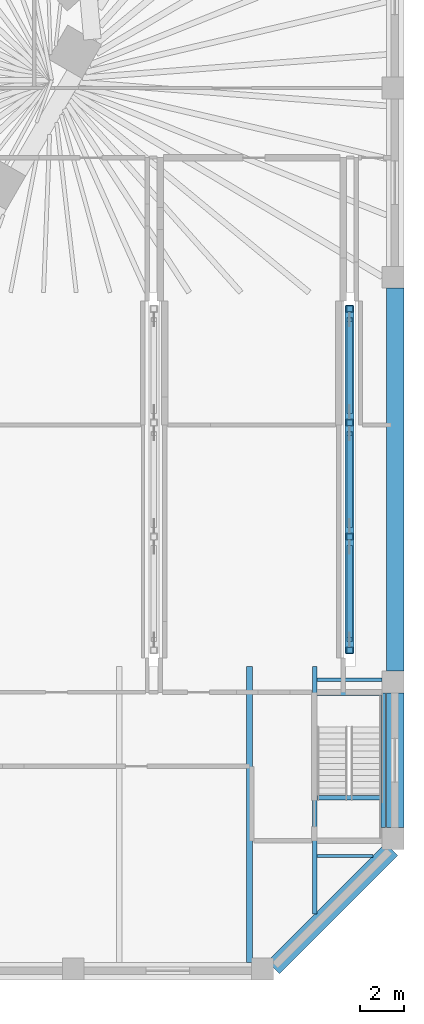
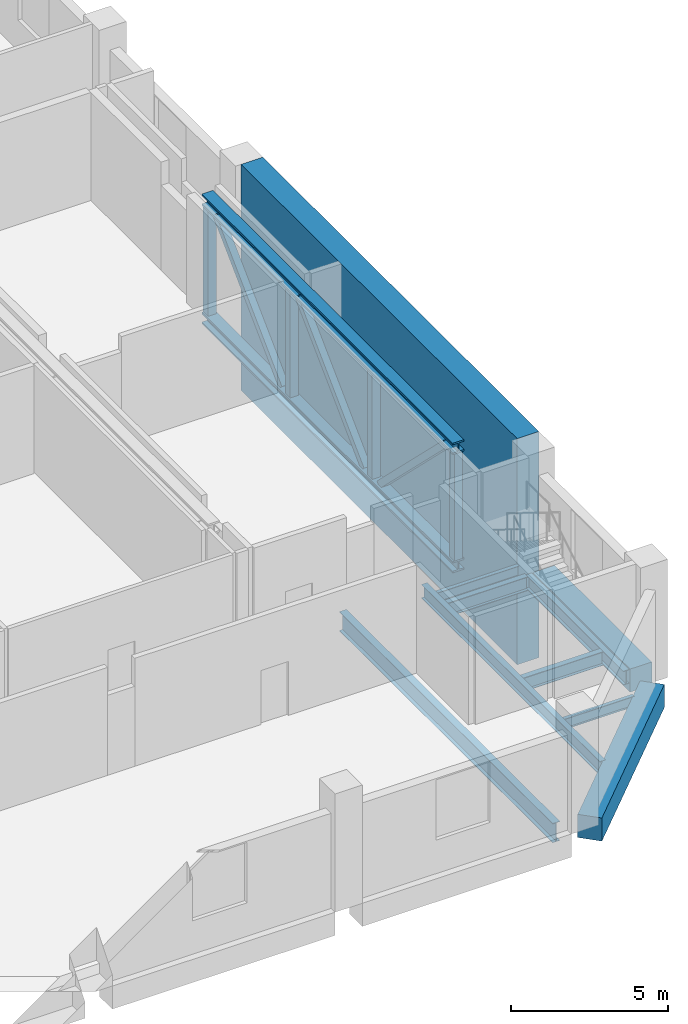
# One storey, part 8 of 32: 10 beams, 9 members.
"""IFC4 building model written with IfcOpenShell, lengths in metres."""

from ifc_helpers import new_model, si_unit, direction, frame, origin, origin_2d, place, context, subcontext, project, spatial, rectangle, hollow_rectangle, i_section, extrude, material, material_profile, profile_set, type_object, element, save


model = new_model("IFC4")

# Units and contexts
model_context = context("Model", 3, precision=1e-05, world=origin(), true_north=direction((0.0, 1.0)))
body_context = subcontext(model_context, "Body", "Model", "MODEL_VIEW")
ifc_project = project(units=[si_unit("LENGTHUNIT", "METRE"), si_unit("AREAUNIT", "SQUARE_METRE"), si_unit("VOLUMEUNIT", "CUBIC_METRE"), si_unit("PLANEANGLEUNIT", "RADIAN"), si_unit("MASSUNIT", "GRAM", prefix="KILO")], contexts=[model_context])

# Site, building, storey
site_placement = place(None, origin())
site = spatial("IfcSite", under=ifc_project, at=site_placement, CompositionType="ELEMENT")
building_placement = place(site_placement, origin())
building = spatial("IfcBuilding", under=site, at=building_placement, Name="Isthmus Gate Tower", CompositionType="ELEMENT")
storey_placement = place(building_placement, frame((0.0, 0.0, 18.0)))
storey = spatial("IfcBuildingStorey", under=building, at=storey_placement, Name="L02", CompositionType="ELEMENT", Elevation=18.0)

# Beams
ifc_material_1 = material(Name="Concrete f'c 70 MPa", Category="concrete")
ifc_material_profile_1 = material_profile(ifc_material_1, rectangle(XDim=0.800048828125, YDim=0.89990234375, at=origin_2d()), Name="RC 800X900")
ifc_profile_set_1 = profile_set([ifc_material_profile_1], Name="Concrete f'c 70 MPa")
beam_type_1 = type_object("IfcBeamType", Name="RC EDGE BEAM 800 X 900", PredefinedType="BEAM", material=ifc_profile_set_1)
beam_1_placement = place(storey_placement, frame((51.60009765625, -27.800048828125, -0.85009765625), z_axis=(0.0, -1.0, 0.0), x_axis=(1.0, 0.0, 0.0)))
element("IfcBeam", 1, at=beam_1_placement, inside=storey, type_object=beam_type_1, Name="str-edgebeam-L02-26", PredefinedType="BEAM", context=body_context, shape_type="SweptSolid", body=[
    extrude(rectangle(XDim=0.800048828125, YDim=0.89990234375, at=origin_2d()), origin(), (0.0, 0.0, 1.0), 6.199951171875),
])
beam_2_placement = place(storey_placement, frame((51.434326171875, -35.0, -0.85009765625), z_axis=(-0.707106781187, -0.707106781187, 0.0), x_axis=(0.707106781187, -0.707106781187, 0.0)))
element("IfcBeam", 2, at=beam_2_placement, inside=storey, type_object=beam_type_1, Name="str-edgebeam-L02-27", PredefinedType="BEAM", context=body_context, shape_type="SweptSolid", body=[
    extrude(rectangle(XDim=0.800048828125, YDim=0.89990234375, at=origin_2d()), origin(), (0.0, 0.0, 1.0), 7.685302734375),
])
ifc_material_2 = material(Name="Concrete f'c 70 MPa", Category="concrete")
ifc_material_profile_2 = material_profile(ifc_material_2, rectangle(XDim=0.800048828125, YDim=8.800048828125, at=origin_2d()), Name="RC 800X8800")
ifc_profile_set_2 = profile_set([ifc_material_profile_2], Name="Concrete f'c 70 MPa")
beam_type_2 = type_object("IfcBeamType", Name="RC PORTAL LINTEL 800 X 8800", PredefinedType="LINTEL", material=ifc_profile_set_2)
beam_3_placement = place(storey_placement, frame((51.60009765625, -9.199951171875, -0.199951171875), z_axis=(0.0, -1.0, 0.0), x_axis=(1.0, 0.0, 0.0)))
element("IfcBeam", 3, at=beam_3_placement, inside=storey, type_object=beam_type_2, Name="str-lintel-L02-25", PredefinedType="LINTEL", context=body_context, shape_type="SweptSolid", body=[
    extrude(rectangle(XDim=0.800048828125, YDim=8.800048828125, at=origin_2d()), origin(), (0.0, 0.0, 1.0), 17.60009765625),
])
ifc_material_3 = material(Name="Structural steel ASTM A992 Gr 50", Category="steel")
ifc_material_profile_3 = material_profile(ifc_material_3, i_section(OverallWidth=0.1396484375, OverallDepth=0.4033203125, WebThickness=0.00634765625, FlangeThickness=0.010986328125, at=origin_2d()), Name="W16X31")
ifc_profile_set_3 = profile_set([ifc_material_profile_3], Name="Structural steel ASTM A992 Gr 50")
beam_type_3 = type_object("IfcBeamType", Name="STEEL FLOOR BEAM W16X31", PredefinedType="JOIST", material=ifc_profile_set_3)
beam_4_placement = place(storey_placement, frame((48.0, -35.301513671875, -0.6015625), z_axis=(1.0, 0.0, 0.0), x_axis=(0.0, 1.0, 0.0)))
element("IfcBeam", 4, at=beam_4_placement, inside=storey, type_object=beam_type_3, Name="str-beam-L02-31-00", PredefinedType="JOIST", context=body_context, shape_type="SweptSolid", body=[
    extrude(i_section(OverallWidth=0.1396484375, OverallDepth=0.4033203125, WebThickness=0.00634765625, FlangeThickness=0.010986328125, at=origin_2d()), origin(), (0.0, 0.0, 1.0), 2.567138671875),
])
beam_5_placement = place(storey_placement, frame((48.0, -27.199951171875, -0.6015625), z_axis=(1.0, 0.0, 0.0), x_axis=(0.0, 1.0, 0.0)))
element("IfcBeam", 5, at=beam_5_placement, inside=storey, type_object=beam_type_3, Name="str-beam-L02-32-00", PredefinedType="JOIST", context=body_context, shape_type="SweptSolid", body=[
    extrude(i_section(OverallWidth=0.1396484375, OverallDepth=0.4033203125, WebThickness=0.00634765625, FlangeThickness=0.010986328125, at=origin_2d()), origin(), (0.0, 0.0, 1.0), 3.0),
])
ifc_material_4 = material(Name="Structural steel ASTM A992 Gr 50", Category="steel")
ifc_material_profile_4 = material_profile(ifc_material_4, i_section(OverallWidth=0.263427734375, OverallDepth=0.749267578125, WebThickness=0.0126953125, FlangeThickness=0.015869140625, at=origin_2d()), Name="W30X90")
ifc_profile_set_4 = profile_set([ifc_material_profile_4], Name="Structural steel ASTM A992 Gr 50")
beam_type_4 = type_object("IfcBeamType", Name="STEEL FLOOR BEAM W30X90", PredefinedType="JOIST", material=ifc_profile_set_4)
beam_6_placement = place(storey_placement, frame((44.90185546875, -40.199951171875, -0.774658203125), z_axis=(0.0, 1.0, 0.0), x_axis=(-1.0, 0.0, 0.0)))
element("IfcBeam", 6, at=beam_6_placement, inside=storey, type_object=beam_type_4, Name="str-beam-L02-19-15", PredefinedType="JOIST", context=body_context, shape_type="SweptSolid", body=[
    extrude(i_section(OverallWidth=0.263427734375, OverallDepth=0.749267578125, WebThickness=0.0126953125, FlangeThickness=0.015869140625, at=origin_2d()), origin(), (0.0, 0.0, 1.0), 13.599853515625),
])
ifc_material_5 = material(Name="Structural steel ASTM A992 Gr 50", Category="steel")
ifc_material_profile_5 = material_profile(ifc_material_5, i_section(OverallWidth=0.20947265625, OverallDepth=0.533447265625, WebThickness=0.009521484375, FlangeThickness=0.015869140625, at=origin_2d()), Name="W21X62")
ifc_profile_set_5 = profile_set([ifc_material_profile_5], Name="Structural steel ASTM A992 Gr 50")
beam_type_5 = type_object("IfcBeamType", Name="STEEL TRIMMER W21X62", PredefinedType="BEAM", material=ifc_profile_set_5)
beam_7_placement = place(storey_placement, frame((51.0546875, -34.0, -0.666748046875), z_axis=(0.0, 1.0, 0.0), x_axis=(-1.0, 0.0, 0.0)))
element("IfcBeam", 7, at=beam_7_placement, inside=storey, type_object=beam_type_5, Name="str-trimmer-L02-03", PredefinedType="BEAM", context=body_context, shape_type="SweptSolid", body=[
    extrude(i_section(OverallWidth=0.20947265625, OverallDepth=0.533447265625, WebThickness=0.009521484375, FlangeThickness=0.015869140625, at=origin_2d()), origin(), (0.0, 0.0, 1.0), 6.199951171875),
])
beam_8_placement = place(storey_placement, frame((47.895263671875, -26.60009765625, -0.666748046875), z_axis=(0.0, -1.0, 0.0), x_axis=(1.0, 0.0, 0.0)))
element("IfcBeam", 8, at=beam_8_placement, inside=storey, type_object=beam_type_5, Name="str-trimmer-L02-04", PredefinedType="BEAM", context=body_context, shape_type="SweptSolid", body=[
    extrude(i_section(OverallWidth=0.20947265625, OverallDepth=0.533447265625, WebThickness=0.009521484375, FlangeThickness=0.015869140625, at=origin_2d()), origin(), (0.0, 0.0, 1.0), 11.373291015625),
])
for number, where, z_axis, x_axis, name in (
    (9, (50.949951171875, -27.82421875, -0.666748046875), (-1.0, 0.0, 0.0), (0.0, -1.0, 0.0), "str-trimmer-L02-12"),
    (10, (48.0, -32.629638671875, -0.666748046875), (1.0, 0.0, 0.0), (0.0, 1.0, 0.0), "str-trimmer-L02-13"),
):
    element("IfcBeam", number, at=place(storey_placement, frame(where, z_axis=z_axis, x_axis=x_axis)), inside=storey, type_object=beam_type_5, Name=name, PredefinedType="BEAM", context=body_context, shape_type="SweptSolid", body=[
        extrude(i_section(OverallWidth=0.20947265625, OverallDepth=0.533447265625, WebThickness=0.009521484375, FlangeThickness=0.015869140625, at=origin_2d()), origin(), (0.0, 0.0, 1.0), 2.949951171875),
    ])

# Members
ifc_material_6 = material(Name="Structural steel ASTM A913 Gr 65", Category="steel")
ifc_material_profile_6 = material_profile(ifc_material_6, i_section(OverallWidth=0.416015625, OverallDepth=0.444580078125, WebThickness=0.039794921875, FlangeThickness=0.0634765625, at=origin_2d()), Name="W14X342")
ifc_profile_set_6 = profile_set([ifc_material_profile_6], Name="Structural steel ASTM A913 Gr 65")
member_type_1 = type_object("IfcMemberType", Name="TRANSFER TRUSS CHORD W14X342", PredefinedType="CHORD", material=ifc_profile_set_6)
for number, where, z_axis, x_axis, name in (
    (11, (49.5, -26.0, -0.622314453125), (0.0, 1.0, 0.0), (-1.0, 0.0, 0.0), "str-xtruss10-L02-05"),
    (12, (49.5, -26.0, 3.977783203125), (0.0, 1.0, 0.0), (-1.0, 0.0, 0.0), "str-xtruss10-L02-06"),
):
    element("IfcMember", number, at=place(storey_placement, frame(where, z_axis=z_axis, x_axis=x_axis)), inside=storey, type_object=member_type_1, Name=name, PredefinedType="CHORD", context=body_context, shape_type="SweptSolid", body=[
        extrude(i_section(OverallWidth=0.416015625, OverallDepth=0.444580078125, WebThickness=0.039794921875, FlangeThickness=0.0634765625, at=origin_2d()), origin(), (0.0, 0.0, 1.0), 16.0),
    ])
ifc_material_7 = material(Name="Structural steel ASTM A500 Gr C", Category="steel")
ifc_material_profile_7 = material_profile(ifc_material_7, hollow_rectangle(XDim=0.25390625, YDim=0.25390625, WallThickness=0.01171875, at=origin_2d()), Name="HSS10X10X1/2")
ifc_profile_set_7 = profile_set([ifc_material_profile_7], Name="Structural steel ASTM A500 Gr C")
member_type_2 = type_object("IfcMemberType", Name="TRANSFER TRUSS DIAGONAL HSS10X10X1/2", PredefinedType="BRACE", material=ifc_profile_set_7)
member_1_placement = place(storey_placement, frame((49.5, -21.116943359375, -0.39990234375), z_axis=(0.0, -0.713620455815, 0.700532543885), x_axis=(1.0, 0.0, 0.0)))
element("IfcMember", 13, at=member_1_placement, inside=storey, type_object=member_type_2, Name="str-xtruss10-L02-07", PredefinedType="BRACE", context=body_context, shape_type="SweptSolid", body=[
    extrude(hollow_rectangle(XDim=0.25390625, YDim=0.25390625, WallThickness=0.01171875, at=origin_2d()), origin(), (0.0, 0.0, 1.0), 5.931884765625),
])
member_2_placement = place(storey_placement, frame((49.5, -20.116943359375, -0.39990234375), z_axis=(0.0, 0.713681040622, 0.700470821845), x_axis=(-1.0, 0.0, 0.0)))
element("IfcMember", 14, at=member_2_placement, inside=storey, type_object=member_type_2, Name="str-xtruss10-L02-08", PredefinedType="BRACE", context=body_context, shape_type="SweptSolid", body=[
    extrude(hollow_rectangle(XDim=0.25390625, YDim=0.25390625, WallThickness=0.01171875, at=origin_2d()), origin(), (0.0, 0.0, 1.0), 5.932373046875),
])
member_3_placement = place(storey_placement, frame((49.5, -14.883056640625, -0.39990234375), z_axis=(0.0, 0.713620455815, 0.700532543885), x_axis=(-1.0, 0.0, 0.0)))
element("IfcMember", 15, at=member_3_placement, inside=storey, type_object=member_type_2, Name="str-xtruss10-L02-09", PredefinedType="BRACE", context=body_context, shape_type="SweptSolid", body=[
    extrude(hollow_rectangle(XDim=0.25390625, YDim=0.25390625, WallThickness=0.01171875, at=origin_2d()), origin(), (0.0, 0.0, 1.0), 5.931884765625),
])
ifc_material_8 = material(Name="Structural steel ASTM A500 Gr C", Category="steel")
ifc_material_profile_8 = material_profile(ifc_material_8, hollow_rectangle(XDim=0.3046875, YDim=0.3046875, WallThickness=0.014892578125, at=origin_2d()), Name="HSS12X12X5/8")
ifc_profile_set_8 = profile_set([ifc_material_profile_8], Name="Structural steel ASTM A500 Gr C")
member_type_3 = type_object("IfcMemberType", Name="TRANSFER TRUSS POST HSS12X12X5/8", PredefinedType="POST", material=ifc_profile_set_8)
for number, where, z_axis, x_axis, name in (
    (16, (49.5, -25.85009765625, -0.39990234375), (0.0, 0.0, 1.0), (1.0, 0.0, 0.0), "str-xtruss10-L02-01"),
    (17, (49.5, -20.616943359375, -0.39990234375), (0.0, 0.0, 1.0), (1.0, 0.0, 0.0), "str-xtruss10-L02-02"),
    (18, (49.5, -15.383056640625, -0.39990234375), (0.0, 0.0, 1.0), (1.0, 0.0, 0.0), "str-xtruss10-L02-03"),
    (19, (49.5, -10.14990234375, -0.39990234375), (0.0, 0.0, 1.0), (1.0, 0.0, 0.0), "str-xtruss10-L02-04"),
):
    element("IfcMember", number, at=place(storey_placement, frame(where, z_axis=z_axis, x_axis=x_axis)), inside=storey, type_object=member_type_3, Name=name, PredefinedType="POST", context=body_context, shape_type="SweptSolid", body=[
        extrude(hollow_rectangle(XDim=0.3046875, YDim=0.3046875, WallThickness=0.014892578125, at=origin_2d()), origin(), (0.0, 0.0, 1.0), 4.155517578125),
    ])

save(model, "model.ifc")
